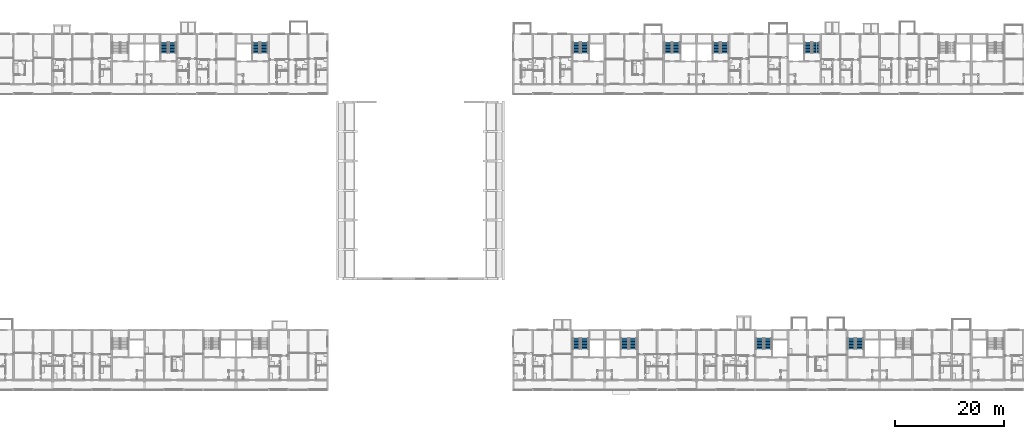
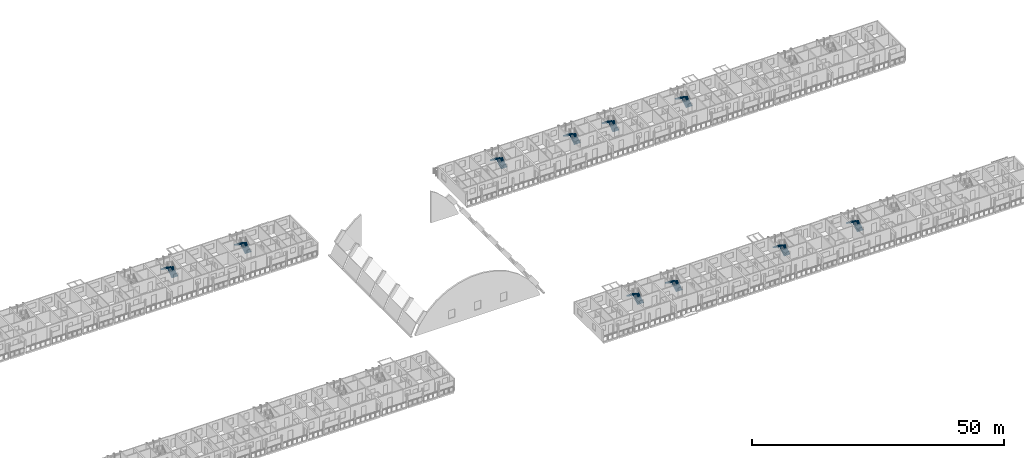
# One storey, part 63 of 100: 20 stair flights, 10 elements without a shape of their own.
"""IFC4 building model written with IfcOpenShell, lengths in metres."""

from ifc_helpers import new_model, si_unit, direction, frame, origin, place, context, subcontext, project, spatial, polyline, outline, extrude, material, type_object, element, aggregate, save


model = new_model("IFC4")

# Units and contexts
model_context = context("Model", 3, precision=1e-05, world=origin(), true_north=direction((0.0, 1.0)))
body_context = subcontext(model_context, "Body", "Model", "MODEL_VIEW")
ifc_project = project(units=[si_unit("LENGTHUNIT", "METRE"), si_unit("AREAUNIT", "SQUARE_METRE"), si_unit("VOLUMEUNIT", "CUBIC_METRE"), si_unit("PLANEANGLEUNIT", "RADIAN"), si_unit("MASSUNIT", "GRAM", prefix="KILO")], contexts=[model_context])

# Site, building, storey
site_placement = place(None, origin())
site = spatial("IfcSite", under=ifc_project, at=site_placement, CompositionType="ELEMENT")
building_placement = place(site_placement, origin())
building = spatial("IfcBuilding", under=site, at=building_placement, Name="Ridgestep Commons", CompositionType="ELEMENT")
storey_placement = place(building_placement, frame((0.0, 0.0, 9.0)))
storey = spatial("IfcBuildingStorey", under=building, at=storey_placement, Name="L03", CompositionType="ELEMENT", Elevation=9.0)

# Stair, stair flights
ifc_material_1 = material(Name="Precast concrete C40/50", Category="concrete")
stair_type = type_object("IfcStairType", Name="Escape stair 1400", PredefinedType="HALF_TURN_STAIR", material=ifc_material_1)
stair_1_placement = place(storey_placement, origin())
stair_1 = element("IfcStair", 1, at=stair_1_placement, inside=storey, type_object=stair_type, Name="L03 Escape stair B5C", PredefinedType="HALF_TURN_STAIR")
ifc_material_2 = material(Name="Precast concrete C40/50", Category="concrete")
stair_flight_type = type_object("IfcStairFlightType", Name="Stair flight 1400", PredefinedType="STRAIGHT", material=ifc_material_2)
stair_flight_1_placement = place(storey_placement, frame((84.375, 73.60009765625, 0.0), z_axis=(0.0, 0.0, 1.0), x_axis=(0.0, 1.0, 0.0)))
stair_flight_1 = element("IfcStairFlight", 2, at=stair_flight_1_placement, type_object=stair_flight_type, Name="B5C flight 1", NumberOfRisers=8, NumberOfTreads=7, PredefinedType="STRAIGHT", RiserHeight=0.1875, TreadLength=0.28, context=body_context, shape_type="SweptSolid", body=[
    extrude(outline(polyline([(0.0, 0.0), (0.0, 0.1875), (0.280029296875, 0.1875), (0.280029296875, 0.375), (0.56005859375, 0.375), (0.56005859375, 0.5625), (0.840087890625, 0.5625), (0.840087890625, 0.75), (1.1201171875, 0.75), (1.1201171875, 0.9375), (1.39990234375, 0.9375), (1.39990234375, 1.125), (1.679931640625, 1.125), (1.679931640625, 1.3125), (1.9599609375, 1.3125), (1.9599609375, 1.5), (1.9599609375, 1.132080078125), (0.26953125, 0.0), (0.0, 0.0)])), frame((0.0, 0.699951171875, 0.0), z_axis=(0.0, -1.0, 0.0), x_axis=(1.0, 0.0, 0.0)), (0.0, 0.0, 1.0), 0.695068359375),
    extrude(outline(polyline([(0.0, 0.0), (0.0, 0.1875), (0.280029296875, 0.1875), (0.280029296875, 0.375), (0.56005859375, 0.375), (0.56005859375, 0.5625), (0.840087890625, 0.5625), (0.840087890625, 0.75), (1.1201171875, 0.75), (1.1201171875, 0.9375), (1.39990234375, 0.9375), (1.39990234375, 1.125), (1.679931640625, 1.125), (1.679931640625, 1.3125), (1.9599609375, 1.3125), (1.9599609375, 1.5), (1.9599609375, 1.132080078125), (0.26953125, 0.0), (0.0, 0.0)])), frame((0.0, -0.0048828125, 0.0), z_axis=(0.0, -1.0, 0.0), x_axis=(1.0, 0.0, 0.0)), (0.0, 0.0, 1.0), 0.695068359375),
])
stair_flight_2_placement = place(storey_placement, frame((82.875, 75.56005859375, 1.5), z_axis=(0.0, 0.0, 1.0), x_axis=(0.0, -1.0, 0.0)))
stair_flight_2 = element("IfcStairFlight", 3, at=stair_flight_2_placement, type_object=stair_flight_type, Name="B5C flight 2", NumberOfRisers=8, NumberOfTreads=7, PredefinedType="STRAIGHT", RiserHeight=0.1875, TreadLength=0.28, context=body_context, shape_type="SweptSolid", body=[
    extrude(outline(polyline([(0.0, 0.0), (0.0, 0.1875), (0.280029296875, 0.1875), (0.280029296875, 0.375), (0.56005859375, 0.375), (0.56005859375, 0.5625), (0.840087890625, 0.5625), (0.840087890625, 0.75), (1.1201171875, 0.75), (1.1201171875, 0.9375), (1.39990234375, 0.9375), (1.39990234375, 1.125), (1.679931640625, 1.125), (1.679931640625, 1.3125), (1.9599609375, 1.3125), (1.9599609375, 1.5), (1.9599609375, 1.132080078125), (0.26953125, 0.0), (0.0, 0.0)])), frame((0.0, 0.699951171875, 0.0), z_axis=(0.0, -1.0, 0.0), x_axis=(1.0, 0.0, 0.0)), (0.0, 0.0, 1.0), 0.695068359375),
    extrude(outline(polyline([(0.0, 0.0), (0.0, 0.1875), (0.280029296875, 0.1875), (0.280029296875, 0.375), (0.56005859375, 0.375), (0.56005859375, 0.5625), (0.840087890625, 0.5625), (0.840087890625, 0.75), (1.1201171875, 0.75), (1.1201171875, 0.9375), (1.39990234375, 0.9375), (1.39990234375, 1.125), (1.679931640625, 1.125), (1.679931640625, 1.3125), (1.9599609375, 1.3125), (1.9599609375, 1.5), (1.9599609375, 1.132080078125), (0.26953125, 0.0), (0.0, 0.0)])), frame((0.0, -0.0048828125, 0.0), z_axis=(0.0, -1.0, 0.0), x_axis=(1.0, 0.0, 0.0)), (0.0, 0.0, 1.0), 0.695068359375),
])
aggregate(stair_1, [stair_flight_1, stair_flight_2])

stair_2_placement = place(storey_placement, origin())
stair_2 = element("IfcStair", 4, at=stair_2_placement, inside=storey, type_object=stair_type, Name="L03 Escape stair B6C", PredefinedType="HALF_TURN_STAIR")
stair_flight_3_placement = place(storey_placement, frame((101.175048828125, 73.60009765625, 0.0), z_axis=(0.0, 0.0, 1.0), x_axis=(0.0, 1.0, 0.0)))
stair_flight_3 = element("IfcStairFlight", 5, at=stair_flight_3_placement, type_object=stair_flight_type, Name="B6C flight 1", NumberOfRisers=8, NumberOfTreads=7, PredefinedType="STRAIGHT", RiserHeight=0.1875, TreadLength=0.28, context=body_context, shape_type="SweptSolid", body=[
    extrude(outline(polyline([(0.0, 0.0), (0.0, 0.1875), (0.280029296875, 0.1875), (0.280029296875, 0.375), (0.56005859375, 0.375), (0.56005859375, 0.5625), (0.840087890625, 0.5625), (0.840087890625, 0.75), (1.1201171875, 0.75), (1.1201171875, 0.9375), (1.39990234375, 0.9375), (1.39990234375, 1.125), (1.679931640625, 1.125), (1.679931640625, 1.3125), (1.9599609375, 1.3125), (1.9599609375, 1.5), (1.9599609375, 1.132080078125), (0.26953125, 0.0), (0.0, 0.0)])), frame((0.0, 0.699951171875, 0.0), z_axis=(0.0, -1.0, 0.0), x_axis=(1.0, 0.0, 0.0)), (0.0, 0.0, 1.0), 0.695068359375),
    extrude(outline(polyline([(0.0, 0.0), (0.0, 0.1875), (0.280029296875, 0.1875), (0.280029296875, 0.375), (0.56005859375, 0.375), (0.56005859375, 0.5625), (0.840087890625, 0.5625), (0.840087890625, 0.75), (1.1201171875, 0.75), (1.1201171875, 0.9375), (1.39990234375, 0.9375), (1.39990234375, 1.125), (1.679931640625, 1.125), (1.679931640625, 1.3125), (1.9599609375, 1.3125), (1.9599609375, 1.5), (1.9599609375, 1.132080078125), (0.26953125, 0.0), (0.0, 0.0)])), frame((0.0, -0.0048828125, 0.0), z_axis=(0.0, -1.0, 0.0), x_axis=(1.0, 0.0, 0.0)), (0.0, 0.0, 1.0), 0.695068359375),
])
stair_flight_4_placement = place(storey_placement, frame((99.675048828125, 75.56005859375, 1.5), z_axis=(0.0, 0.0, 1.0), x_axis=(0.0, -1.0, 0.0)))
stair_flight_4 = element("IfcStairFlight", 6, at=stair_flight_4_placement, type_object=stair_flight_type, Name="B6C flight 2", NumberOfRisers=8, NumberOfTreads=7, PredefinedType="STRAIGHT", RiserHeight=0.1875, TreadLength=0.28, context=body_context, shape_type="SweptSolid", body=[
    extrude(outline(polyline([(0.0, 0.0), (0.0, 0.1875), (0.280029296875, 0.1875), (0.280029296875, 0.375), (0.56005859375, 0.375), (0.56005859375, 0.5625), (0.840087890625, 0.5625), (0.840087890625, 0.75), (1.1201171875, 0.75), (1.1201171875, 0.9375), (1.39990234375, 0.9375), (1.39990234375, 1.125), (1.679931640625, 1.125), (1.679931640625, 1.3125), (1.9599609375, 1.3125), (1.9599609375, 1.5), (1.9599609375, 1.132080078125), (0.26953125, 0.0), (0.0, 0.0)])), frame((0.0, 0.699951171875, 0.0), z_axis=(0.0, -1.0, 0.0), x_axis=(1.0, 0.0, 0.0)), (0.0, 0.0, 1.0), 0.695068359375),
    extrude(outline(polyline([(0.0, 0.0), (0.0, 0.1875), (0.280029296875, 0.1875), (0.280029296875, 0.375), (0.56005859375, 0.375), (0.56005859375, 0.5625), (0.840087890625, 0.5625), (0.840087890625, 0.75), (1.1201171875, 0.75), (1.1201171875, 0.9375), (1.39990234375, 0.9375), (1.39990234375, 1.125), (1.679931640625, 1.125), (1.679931640625, 1.3125), (1.9599609375, 1.3125), (1.9599609375, 1.5), (1.9599609375, 1.132080078125), (0.26953125, 0.0), (0.0, 0.0)])), frame((0.0, -0.0048828125, 0.0), z_axis=(0.0, -1.0, 0.0), x_axis=(1.0, 0.0, 0.0)), (0.0, 0.0, 1.0), 0.695068359375),
])
aggregate(stair_2, [stair_flight_3, stair_flight_4])

stair_3_placement = place(storey_placement, origin())
stair_3 = element("IfcStair", 7, at=stair_3_placement, inside=storey, type_object=stair_type, Name="L03 Escape stair C1C", PredefinedType="HALF_TURN_STAIR")
stair_flight_5_placement = place(storey_placement, frame((159.925048828125, 73.60009765625, 0.0), z_axis=(0.0, 0.0, 1.0), x_axis=(0.0, 1.0, 0.0)))
stair_flight_5 = element("IfcStairFlight", 8, at=stair_flight_5_placement, type_object=stair_flight_type, Name="C1C flight 1", NumberOfRisers=8, NumberOfTreads=7, PredefinedType="STRAIGHT", RiserHeight=0.1875, TreadLength=0.28, context=body_context, shape_type="SweptSolid", body=[
    extrude(outline(polyline([(0.0, 0.0), (0.0, 0.1875), (0.280029296875, 0.1875), (0.280029296875, 0.375), (0.56005859375, 0.375), (0.56005859375, 0.5625), (0.840087890625, 0.5625), (0.840087890625, 0.75), (1.1201171875, 0.75), (1.1201171875, 0.9375), (1.39990234375, 0.9375), (1.39990234375, 1.125), (1.679931640625, 1.125), (1.679931640625, 1.3125), (1.9599609375, 1.3125), (1.9599609375, 1.5), (1.9599609375, 1.132080078125), (0.26953125, 0.0), (0.0, 0.0)])), frame((0.0, 0.699951171875, 0.0), z_axis=(0.0, -1.0, 0.0), x_axis=(1.0, 0.0, 0.0)), (0.0, 0.0, 1.0), 0.695068359375),
    extrude(outline(polyline([(0.0, 0.0), (0.0, 0.1875), (0.280029296875, 0.1875), (0.280029296875, 0.375), (0.56005859375, 0.375), (0.56005859375, 0.5625), (0.840087890625, 0.5625), (0.840087890625, 0.75), (1.1201171875, 0.75), (1.1201171875, 0.9375), (1.39990234375, 0.9375), (1.39990234375, 1.125), (1.679931640625, 1.125), (1.679931640625, 1.3125), (1.9599609375, 1.3125), (1.9599609375, 1.5), (1.9599609375, 1.132080078125), (0.26953125, 0.0), (0.0, 0.0)])), frame((0.0, -0.0048828125, 0.0), z_axis=(0.0, -1.0, 0.0), x_axis=(1.0, 0.0, 0.0)), (0.0, 0.0, 1.0), 0.695068359375),
])
stair_flight_6_placement = place(storey_placement, frame((158.425048828125, 75.56005859375, 1.5), z_axis=(0.0, 0.0, 1.0), x_axis=(0.0, -1.0, 0.0)))
stair_flight_6 = element("IfcStairFlight", 9, at=stair_flight_6_placement, type_object=stair_flight_type, Name="C1C flight 2", NumberOfRisers=8, NumberOfTreads=7, PredefinedType="STRAIGHT", RiserHeight=0.1875, TreadLength=0.28, context=body_context, shape_type="SweptSolid", body=[
    extrude(outline(polyline([(0.0, 0.0), (0.0, 0.1875), (0.280029296875, 0.1875), (0.280029296875, 0.375), (0.56005859375, 0.375), (0.56005859375, 0.5625), (0.840087890625, 0.5625), (0.840087890625, 0.75), (1.1201171875, 0.75), (1.1201171875, 0.9375), (1.39990234375, 0.9375), (1.39990234375, 1.125), (1.679931640625, 1.125), (1.679931640625, 1.3125), (1.9599609375, 1.3125), (1.9599609375, 1.5), (1.9599609375, 1.132080078125), (0.26953125, 0.0), (0.0, 0.0)])), frame((0.0, 0.699951171875, 0.0), z_axis=(0.0, -1.0, 0.0), x_axis=(1.0, 0.0, 0.0)), (0.0, 0.0, 1.0), 0.695068359375),
    extrude(outline(polyline([(0.0, 0.0), (0.0, 0.1875), (0.280029296875, 0.1875), (0.280029296875, 0.375), (0.56005859375, 0.375), (0.56005859375, 0.5625), (0.840087890625, 0.5625), (0.840087890625, 0.75), (1.1201171875, 0.75), (1.1201171875, 0.9375), (1.39990234375, 0.9375), (1.39990234375, 1.125), (1.679931640625, 1.125), (1.679931640625, 1.3125), (1.9599609375, 1.3125), (1.9599609375, 1.5), (1.9599609375, 1.132080078125), (0.26953125, 0.0), (0.0, 0.0)])), frame((0.0, -0.0048828125, 0.0), z_axis=(0.0, -1.0, 0.0), x_axis=(1.0, 0.0, 0.0)), (0.0, 0.0, 1.0), 0.695068359375),
])
aggregate(stair_3, [stair_flight_5, stair_flight_6])

stair_4_placement = place(storey_placement, origin())
stair_4 = element("IfcStair", 10, at=stair_4_placement, inside=storey, type_object=stair_type, Name="L03 Escape stair C2C", PredefinedType="HALF_TURN_STAIR")
stair_flight_7_placement = place(storey_placement, frame((176.72509765625, 73.60009765625, 0.0), z_axis=(0.0, 0.0, 1.0), x_axis=(0.0, 1.0, 0.0)))
stair_flight_7 = element("IfcStairFlight", 11, at=stair_flight_7_placement, type_object=stair_flight_type, Name="C2C flight 1", NumberOfRisers=8, NumberOfTreads=7, PredefinedType="STRAIGHT", RiserHeight=0.1875, TreadLength=0.28, context=body_context, shape_type="SweptSolid", body=[
    extrude(outline(polyline([(0.0, 0.0), (0.0, 0.1875), (0.280029296875, 0.1875), (0.280029296875, 0.375), (0.56005859375, 0.375), (0.56005859375, 0.5625), (0.840087890625, 0.5625), (0.840087890625, 0.75), (1.1201171875, 0.75), (1.1201171875, 0.9375), (1.39990234375, 0.9375), (1.39990234375, 1.125), (1.679931640625, 1.125), (1.679931640625, 1.3125), (1.9599609375, 1.3125), (1.9599609375, 1.5), (1.9599609375, 1.132080078125), (0.26953125, 0.0), (0.0, 0.0)])), frame((0.0, 0.699951171875, 0.0), z_axis=(0.0, -1.0, 0.0), x_axis=(1.0, 0.0, 0.0)), (0.0, 0.0, 1.0), 0.695068359375),
    extrude(outline(polyline([(0.0, 0.0), (0.0, 0.1875), (0.280029296875, 0.1875), (0.280029296875, 0.375), (0.56005859375, 0.375), (0.56005859375, 0.5625), (0.840087890625, 0.5625), (0.840087890625, 0.75), (1.1201171875, 0.75), (1.1201171875, 0.9375), (1.39990234375, 0.9375), (1.39990234375, 1.125), (1.679931640625, 1.125), (1.679931640625, 1.3125), (1.9599609375, 1.3125), (1.9599609375, 1.5), (1.9599609375, 1.132080078125), (0.26953125, 0.0), (0.0, 0.0)])), frame((0.0, -0.0048828125, 0.0), z_axis=(0.0, -1.0, 0.0), x_axis=(1.0, 0.0, 0.0)), (0.0, 0.0, 1.0), 0.695068359375),
])
stair_flight_8_placement = place(storey_placement, frame((175.22509765625, 75.56005859375, 1.5), z_axis=(0.0, 0.0, 1.0), x_axis=(0.0, -1.0, 0.0)))
stair_flight_8 = element("IfcStairFlight", 12, at=stair_flight_8_placement, type_object=stair_flight_type, Name="C2C flight 2", NumberOfRisers=8, NumberOfTreads=7, PredefinedType="STRAIGHT", RiserHeight=0.1875, TreadLength=0.28, context=body_context, shape_type="SweptSolid", body=[
    extrude(outline(polyline([(0.0, 0.0), (0.0, 0.1875), (0.280029296875, 0.1875), (0.280029296875, 0.375), (0.56005859375, 0.375), (0.56005859375, 0.5625), (0.840087890625, 0.5625), (0.840087890625, 0.75), (1.1201171875, 0.75), (1.1201171875, 0.9375), (1.39990234375, 0.9375), (1.39990234375, 1.125), (1.679931640625, 1.125), (1.679931640625, 1.3125), (1.9599609375, 1.3125), (1.9599609375, 1.5), (1.9599609375, 1.132080078125), (0.26953125, 0.0), (0.0, 0.0)])), frame((0.0, 0.699951171875, 0.0), z_axis=(0.0, -1.0, 0.0), x_axis=(1.0, 0.0, 0.0)), (0.0, 0.0, 1.0), 0.695068359375),
    extrude(outline(polyline([(0.0, 0.0), (0.0, 0.1875), (0.280029296875, 0.1875), (0.280029296875, 0.375), (0.56005859375, 0.375), (0.56005859375, 0.5625), (0.840087890625, 0.5625), (0.840087890625, 0.75), (1.1201171875, 0.75), (1.1201171875, 0.9375), (1.39990234375, 0.9375), (1.39990234375, 1.125), (1.679931640625, 1.125), (1.679931640625, 1.3125), (1.9599609375, 1.3125), (1.9599609375, 1.5), (1.9599609375, 1.132080078125), (0.26953125, 0.0), (0.0, 0.0)])), frame((0.0, -0.0048828125, 0.0), z_axis=(0.0, -1.0, 0.0), x_axis=(1.0, 0.0, 0.0)), (0.0, 0.0, 1.0), 0.695068359375),
])
aggregate(stair_4, [stair_flight_7, stair_flight_8])

stair_5_placement = place(storey_placement, origin())
stair_5 = element("IfcStair", 13, at=stair_5_placement, inside=storey, type_object=stair_type, Name="L03 Escape stair C3C", PredefinedType="HALF_TURN_STAIR")
stair_flight_9_placement = place(storey_placement, frame((185.574951171875, 73.60009765625, 0.0), z_axis=(0.0, 0.0, 1.0), x_axis=(0.0, 1.0, 0.0)))
stair_flight_9 = element("IfcStairFlight", 14, at=stair_flight_9_placement, type_object=stair_flight_type, Name="C3C flight 1", NumberOfRisers=8, NumberOfTreads=7, PredefinedType="STRAIGHT", RiserHeight=0.1875, TreadLength=0.28, context=body_context, shape_type="SweptSolid", body=[
    extrude(outline(polyline([(0.0, 0.0), (0.0, 0.1875), (0.280029296875, 0.1875), (0.280029296875, 0.375), (0.56005859375, 0.375), (0.56005859375, 0.5625), (0.840087890625, 0.5625), (0.840087890625, 0.75), (1.1201171875, 0.75), (1.1201171875, 0.9375), (1.39990234375, 0.9375), (1.39990234375, 1.125), (1.679931640625, 1.125), (1.679931640625, 1.3125), (1.9599609375, 1.3125), (1.9599609375, 1.5), (1.9599609375, 1.132080078125), (0.26953125, 0.0), (0.0, 0.0)])), frame((0.0, 0.699951171875, 0.0), z_axis=(0.0, -1.0, 0.0), x_axis=(1.0, 0.0, 0.0)), (0.0, 0.0, 1.0), 0.695068359375),
    extrude(outline(polyline([(0.0, 0.0), (0.0, 0.1875), (0.280029296875, 0.1875), (0.280029296875, 0.375), (0.56005859375, 0.375), (0.56005859375, 0.5625), (0.840087890625, 0.5625), (0.840087890625, 0.75), (1.1201171875, 0.75), (1.1201171875, 0.9375), (1.39990234375, 0.9375), (1.39990234375, 1.125), (1.679931640625, 1.125), (1.679931640625, 1.3125), (1.9599609375, 1.3125), (1.9599609375, 1.5), (1.9599609375, 1.132080078125), (0.26953125, 0.0), (0.0, 0.0)])), frame((0.0, -0.0048828125, 0.0), z_axis=(0.0, -1.0, 0.0), x_axis=(1.0, 0.0, 0.0)), (0.0, 0.0, 1.0), 0.695068359375),
])
stair_flight_10_placement = place(storey_placement, frame((184.074951171875, 75.56005859375, 1.5), z_axis=(0.0, 0.0, 1.0), x_axis=(0.0, -1.0, 0.0)))
stair_flight_10 = element("IfcStairFlight", 15, at=stair_flight_10_placement, type_object=stair_flight_type, Name="C3C flight 2", NumberOfRisers=8, NumberOfTreads=7, PredefinedType="STRAIGHT", RiserHeight=0.1875, TreadLength=0.28, context=body_context, shape_type="SweptSolid", body=[
    extrude(outline(polyline([(0.0, 0.0), (0.0, 0.1875), (0.280029296875, 0.1875), (0.280029296875, 0.375), (0.56005859375, 0.375), (0.56005859375, 0.5625), (0.840087890625, 0.5625), (0.840087890625, 0.75), (1.1201171875, 0.75), (1.1201171875, 0.9375), (1.39990234375, 0.9375), (1.39990234375, 1.125), (1.679931640625, 1.125), (1.679931640625, 1.3125), (1.9599609375, 1.3125), (1.9599609375, 1.5), (1.9599609375, 1.132080078125), (0.26953125, 0.0), (0.0, 0.0)])), frame((0.0, 0.699951171875, 0.0), z_axis=(0.0, -1.0, 0.0), x_axis=(1.0, 0.0, 0.0)), (0.0, 0.0, 1.0), 0.695068359375),
    extrude(outline(polyline([(0.0, 0.0), (0.0, 0.1875), (0.280029296875, 0.1875), (0.280029296875, 0.375), (0.56005859375, 0.375), (0.56005859375, 0.5625), (0.840087890625, 0.5625), (0.840087890625, 0.75), (1.1201171875, 0.75), (1.1201171875, 0.9375), (1.39990234375, 0.9375), (1.39990234375, 1.125), (1.679931640625, 1.125), (1.679931640625, 1.3125), (1.9599609375, 1.3125), (1.9599609375, 1.5), (1.9599609375, 1.132080078125), (0.26953125, 0.0), (0.0, 0.0)])), frame((0.0, -0.0048828125, 0.0), z_axis=(0.0, -1.0, 0.0), x_axis=(1.0, 0.0, 0.0)), (0.0, 0.0, 1.0), 0.695068359375),
])
aggregate(stair_5, [stair_flight_9, stair_flight_10])

stair_6_placement = place(storey_placement, origin())
stair_6 = element("IfcStair", 16, at=stair_6_placement, inside=storey, type_object=stair_type, Name="L03 Escape stair C4C", PredefinedType="HALF_TURN_STAIR")
stair_flight_11_placement = place(storey_placement, frame((202.375, 73.60009765625, 0.0), z_axis=(0.0, 0.0, 1.0), x_axis=(0.0, 1.0, 0.0)))
stair_flight_11 = element("IfcStairFlight", 17, at=stair_flight_11_placement, type_object=stair_flight_type, Name="C4C flight 1", NumberOfRisers=8, NumberOfTreads=7, PredefinedType="STRAIGHT", RiserHeight=0.1875, TreadLength=0.28, context=body_context, shape_type="SweptSolid", body=[
    extrude(outline(polyline([(0.0, 0.0), (0.0, 0.1875), (0.280029296875, 0.1875), (0.280029296875, 0.375), (0.56005859375, 0.375), (0.56005859375, 0.5625), (0.840087890625, 0.5625), (0.840087890625, 0.75), (1.1201171875, 0.75), (1.1201171875, 0.9375), (1.39990234375, 0.9375), (1.39990234375, 1.125), (1.679931640625, 1.125), (1.679931640625, 1.3125), (1.9599609375, 1.3125), (1.9599609375, 1.5), (1.9599609375, 1.132080078125), (0.26953125, 0.0), (0.0, 0.0)])), frame((0.0, 0.699951171875, 0.0), z_axis=(0.0, -1.0, 0.0), x_axis=(1.0, 0.0, 0.0)), (0.0, 0.0, 1.0), 0.695068359375),
    extrude(outline(polyline([(0.0, 0.0), (0.0, 0.1875), (0.280029296875, 0.1875), (0.280029296875, 0.375), (0.56005859375, 0.375), (0.56005859375, 0.5625), (0.840087890625, 0.5625), (0.840087890625, 0.75), (1.1201171875, 0.75), (1.1201171875, 0.9375), (1.39990234375, 0.9375), (1.39990234375, 1.125), (1.679931640625, 1.125), (1.679931640625, 1.3125), (1.9599609375, 1.3125), (1.9599609375, 1.5), (1.9599609375, 1.132080078125), (0.26953125, 0.0), (0.0, 0.0)])), frame((0.0, -0.0048828125, 0.0), z_axis=(0.0, -1.0, 0.0), x_axis=(1.0, 0.0, 0.0)), (0.0, 0.0, 1.0), 0.695068359375),
])
stair_flight_12_placement = place(storey_placement, frame((200.875, 75.56005859375, 1.5), z_axis=(0.0, 0.0, 1.0), x_axis=(0.0, -1.0, 0.0)))
stair_flight_12 = element("IfcStairFlight", 18, at=stair_flight_12_placement, type_object=stair_flight_type, Name="C4C flight 2", NumberOfRisers=8, NumberOfTreads=7, PredefinedType="STRAIGHT", RiserHeight=0.1875, TreadLength=0.28, context=body_context, shape_type="SweptSolid", body=[
    extrude(outline(polyline([(0.0, 0.0), (0.0, 0.1875), (0.280029296875, 0.1875), (0.280029296875, 0.375), (0.56005859375, 0.375), (0.56005859375, 0.5625), (0.840087890625, 0.5625), (0.840087890625, 0.75), (1.1201171875, 0.75), (1.1201171875, 0.9375), (1.39990234375, 0.9375), (1.39990234375, 1.125), (1.679931640625, 1.125), (1.679931640625, 1.3125), (1.9599609375, 1.3125), (1.9599609375, 1.5), (1.9599609375, 1.132080078125), (0.26953125, 0.0), (0.0, 0.0)])), frame((0.0, 0.699951171875, 0.0), z_axis=(0.0, -1.0, 0.0), x_axis=(1.0, 0.0, 0.0)), (0.0, 0.0, 1.0), 0.695068359375),
    extrude(outline(polyline([(0.0, 0.0), (0.0, 0.1875), (0.280029296875, 0.1875), (0.280029296875, 0.375), (0.56005859375, 0.375), (0.56005859375, 0.5625), (0.840087890625, 0.5625), (0.840087890625, 0.75), (1.1201171875, 0.75), (1.1201171875, 0.9375), (1.39990234375, 0.9375), (1.39990234375, 1.125), (1.679931640625, 1.125), (1.679931640625, 1.3125), (1.9599609375, 1.3125), (1.9599609375, 1.5), (1.9599609375, 1.132080078125), (0.26953125, 0.0), (0.0, 0.0)])), frame((0.0, -0.0048828125, 0.0), z_axis=(0.0, -1.0, 0.0), x_axis=(1.0, 0.0, 0.0)), (0.0, 0.0, 1.0), 0.695068359375),
])
aggregate(stair_6, [stair_flight_11, stair_flight_12])

stair_7_placement = place(storey_placement, origin())
stair_7 = element("IfcStair", 19, at=stair_7_placement, inside=storey, type_object=stair_type, Name="L03 Escape stair D1C", PredefinedType="HALF_TURN_STAIR")
stair_flight_13_placement = place(storey_placement, frame((159.925048828125, 19.35009765625, 0.0), z_axis=(0.0, 0.0, 1.0), x_axis=(0.0, 1.0, 0.0)))
stair_flight_13 = element("IfcStairFlight", 20, at=stair_flight_13_placement, type_object=stair_flight_type, Name="D1C flight 1", NumberOfRisers=8, NumberOfTreads=7, PredefinedType="STRAIGHT", RiserHeight=0.1875, TreadLength=0.28, context=body_context, shape_type="SweptSolid", body=[
    extrude(outline(polyline([(0.0, 0.0), (0.0, 0.1875), (0.280029296875, 0.1875), (0.280029296875, 0.375), (0.56005859375, 0.375), (0.56005859375, 0.5625), (0.840087890625, 0.5625), (0.840087890625, 0.75), (1.1201171875, 0.75), (1.1201171875, 0.9375), (1.39990234375, 0.9375), (1.39990234375, 1.125), (1.679931640625, 1.125), (1.679931640625, 1.3125), (1.9599609375, 1.3125), (1.9599609375, 1.5), (1.9599609375, 1.132080078125), (0.26953125, 0.0), (0.0, 0.0)])), frame((0.0, 0.699951171875, 0.0), z_axis=(0.0, -1.0, 0.0), x_axis=(1.0, 0.0, 0.0)), (0.0, 0.0, 1.0), 0.695068359375),
    extrude(outline(polyline([(0.0, 0.0), (0.0, 0.1875), (0.280029296875, 0.1875), (0.280029296875, 0.375), (0.56005859375, 0.375), (0.56005859375, 0.5625), (0.840087890625, 0.5625), (0.840087890625, 0.75), (1.1201171875, 0.75), (1.1201171875, 0.9375), (1.39990234375, 0.9375), (1.39990234375, 1.125), (1.679931640625, 1.125), (1.679931640625, 1.3125), (1.9599609375, 1.3125), (1.9599609375, 1.5), (1.9599609375, 1.132080078125), (0.26953125, 0.0), (0.0, 0.0)])), frame((0.0, -0.0048828125, 0.0), z_axis=(0.0, -1.0, 0.0), x_axis=(1.0, 0.0, 0.0)), (0.0, 0.0, 1.0), 0.695068359375),
])
stair_flight_14_placement = place(storey_placement, frame((158.425048828125, 21.31005859375, 1.5), z_axis=(0.0, 0.0, 1.0), x_axis=(0.0, -1.0, 0.0)))
stair_flight_14 = element("IfcStairFlight", 21, at=stair_flight_14_placement, type_object=stair_flight_type, Name="D1C flight 2", NumberOfRisers=8, NumberOfTreads=7, PredefinedType="STRAIGHT", RiserHeight=0.1875, TreadLength=0.28, context=body_context, shape_type="SweptSolid", body=[
    extrude(outline(polyline([(0.0, 0.0), (0.0, 0.1875), (0.280029296875, 0.1875), (0.280029296875, 0.375), (0.56005859375, 0.375), (0.56005859375, 0.5625), (0.840087890625, 0.5625), (0.840087890625, 0.75), (1.1201171875, 0.75), (1.1201171875, 0.9375), (1.39990234375, 0.9375), (1.39990234375, 1.125), (1.679931640625, 1.125), (1.679931640625, 1.3125), (1.9599609375, 1.3125), (1.9599609375, 1.5), (1.9599609375, 1.132080078125), (0.26953125, 0.0), (0.0, 0.0)])), frame((0.0, 0.699951171875, 0.0), z_axis=(0.0, -1.0, 0.0), x_axis=(1.0, 0.0, 0.0)), (0.0, 0.0, 1.0), 0.695068359375),
    extrude(outline(polyline([(0.0, 0.0), (0.0, 0.1875), (0.280029296875, 0.1875), (0.280029296875, 0.375), (0.56005859375, 0.375), (0.56005859375, 0.5625), (0.840087890625, 0.5625), (0.840087890625, 0.75), (1.1201171875, 0.75), (1.1201171875, 0.9375), (1.39990234375, 0.9375), (1.39990234375, 1.125), (1.679931640625, 1.125), (1.679931640625, 1.3125), (1.9599609375, 1.3125), (1.9599609375, 1.5), (1.9599609375, 1.132080078125), (0.26953125, 0.0), (0.0, 0.0)])), frame((0.0, -0.0048828125, 0.0), z_axis=(0.0, -1.0, 0.0), x_axis=(1.0, 0.0, 0.0)), (0.0, 0.0, 1.0), 0.695068359375),
])
aggregate(stair_7, [stair_flight_13, stair_flight_14])

stair_8_placement = place(storey_placement, origin())
stair_8 = element("IfcStair", 22, at=stair_8_placement, inside=storey, type_object=stair_type, Name="L03 Escape stair D2C", PredefinedType="HALF_TURN_STAIR")
stair_flight_15_placement = place(storey_placement, frame((168.77490234375, 19.35009765625, 0.0), z_axis=(0.0, 0.0, 1.0), x_axis=(0.0, 1.0, 0.0)))
stair_flight_15 = element("IfcStairFlight", 23, at=stair_flight_15_placement, type_object=stair_flight_type, Name="D2C flight 1", NumberOfRisers=8, NumberOfTreads=7, PredefinedType="STRAIGHT", RiserHeight=0.1875, TreadLength=0.28, context=body_context, shape_type="SweptSolid", body=[
    extrude(outline(polyline([(0.0, 0.0), (0.0, 0.1875), (0.280029296875, 0.1875), (0.280029296875, 0.375), (0.56005859375, 0.375), (0.56005859375, 0.5625), (0.840087890625, 0.5625), (0.840087890625, 0.75), (1.1201171875, 0.75), (1.1201171875, 0.9375), (1.39990234375, 0.9375), (1.39990234375, 1.125), (1.679931640625, 1.125), (1.679931640625, 1.3125), (1.9599609375, 1.3125), (1.9599609375, 1.5), (1.9599609375, 1.132080078125), (0.26953125, 0.0), (0.0, 0.0)])), frame((0.0, 0.699951171875, 0.0), z_axis=(0.0, -1.0, 0.0), x_axis=(1.0, 0.0, 0.0)), (0.0, 0.0, 1.0), 0.695068359375),
    extrude(outline(polyline([(0.0, 0.0), (0.0, 0.1875), (0.280029296875, 0.1875), (0.280029296875, 0.375), (0.56005859375, 0.375), (0.56005859375, 0.5625), (0.840087890625, 0.5625), (0.840087890625, 0.75), (1.1201171875, 0.75), (1.1201171875, 0.9375), (1.39990234375, 0.9375), (1.39990234375, 1.125), (1.679931640625, 1.125), (1.679931640625, 1.3125), (1.9599609375, 1.3125), (1.9599609375, 1.5), (1.9599609375, 1.132080078125), (0.26953125, 0.0), (0.0, 0.0)])), frame((0.0, -0.0048828125, 0.0), z_axis=(0.0, -1.0, 0.0), x_axis=(1.0, 0.0, 0.0)), (0.0, 0.0, 1.0), 0.695068359375),
])
stair_flight_16_placement = place(storey_placement, frame((167.27490234375, 21.31005859375, 1.5), z_axis=(0.0, 0.0, 1.0), x_axis=(0.0, -1.0, 0.0)))
stair_flight_16 = element("IfcStairFlight", 24, at=stair_flight_16_placement, type_object=stair_flight_type, Name="D2C flight 2", NumberOfRisers=8, NumberOfTreads=7, PredefinedType="STRAIGHT", RiserHeight=0.1875, TreadLength=0.28, context=body_context, shape_type="SweptSolid", body=[
    extrude(outline(polyline([(0.0, 0.0), (0.0, 0.1875), (0.280029296875, 0.1875), (0.280029296875, 0.375), (0.56005859375, 0.375), (0.56005859375, 0.5625), (0.840087890625, 0.5625), (0.840087890625, 0.75), (1.1201171875, 0.75), (1.1201171875, 0.9375), (1.39990234375, 0.9375), (1.39990234375, 1.125), (1.679931640625, 1.125), (1.679931640625, 1.3125), (1.9599609375, 1.3125), (1.9599609375, 1.5), (1.9599609375, 1.132080078125), (0.26953125, 0.0), (0.0, 0.0)])), frame((0.0, 0.699951171875, 0.0), z_axis=(0.0, -1.0, 0.0), x_axis=(1.0, 0.0, 0.0)), (0.0, 0.0, 1.0), 0.695068359375),
    extrude(outline(polyline([(0.0, 0.0), (0.0, 0.1875), (0.280029296875, 0.1875), (0.280029296875, 0.375), (0.56005859375, 0.375), (0.56005859375, 0.5625), (0.840087890625, 0.5625), (0.840087890625, 0.75), (1.1201171875, 0.75), (1.1201171875, 0.9375), (1.39990234375, 0.9375), (1.39990234375, 1.125), (1.679931640625, 1.125), (1.679931640625, 1.3125), (1.9599609375, 1.3125), (1.9599609375, 1.5), (1.9599609375, 1.132080078125), (0.26953125, 0.0), (0.0, 0.0)])), frame((0.0, -0.0048828125, 0.0), z_axis=(0.0, -1.0, 0.0), x_axis=(1.0, 0.0, 0.0)), (0.0, 0.0, 1.0), 0.695068359375),
])
aggregate(stair_8, [stair_flight_15, stair_flight_16])

stair_9_placement = place(storey_placement, origin())
stair_9 = element("IfcStair", 25, at=stair_9_placement, inside=storey, type_object=stair_type, Name="L03 Escape stair D3C", PredefinedType="HALF_TURN_STAIR")
stair_flight_17_placement = place(storey_placement, frame((193.52490234375, 19.35009765625, 0.0), z_axis=(0.0, 0.0, 1.0), x_axis=(0.0, 1.0, 0.0)))
stair_flight_17 = element("IfcStairFlight", 26, at=stair_flight_17_placement, type_object=stair_flight_type, Name="D3C flight 1", NumberOfRisers=8, NumberOfTreads=7, PredefinedType="STRAIGHT", RiserHeight=0.1875, TreadLength=0.28, context=body_context, shape_type="SweptSolid", body=[
    extrude(outline(polyline([(0.0, 0.0), (0.0, 0.1875), (0.280029296875, 0.1875), (0.280029296875, 0.375), (0.56005859375, 0.375), (0.56005859375, 0.5625), (0.840087890625, 0.5625), (0.840087890625, 0.75), (1.1201171875, 0.75), (1.1201171875, 0.9375), (1.39990234375, 0.9375), (1.39990234375, 1.125), (1.679931640625, 1.125), (1.679931640625, 1.3125), (1.9599609375, 1.3125), (1.9599609375, 1.5), (1.9599609375, 1.132080078125), (0.26953125, 0.0), (0.0, 0.0)])), frame((0.0, 0.699951171875, 0.0), z_axis=(0.0, -1.0, 0.0), x_axis=(1.0, 0.0, 0.0)), (0.0, 0.0, 1.0), 0.695068359375),
    extrude(outline(polyline([(0.0, 0.0), (0.0, 0.1875), (0.280029296875, 0.1875), (0.280029296875, 0.375), (0.56005859375, 0.375), (0.56005859375, 0.5625), (0.840087890625, 0.5625), (0.840087890625, 0.75), (1.1201171875, 0.75), (1.1201171875, 0.9375), (1.39990234375, 0.9375), (1.39990234375, 1.125), (1.679931640625, 1.125), (1.679931640625, 1.3125), (1.9599609375, 1.3125), (1.9599609375, 1.5), (1.9599609375, 1.132080078125), (0.26953125, 0.0), (0.0, 0.0)])), frame((0.0, -0.0048828125, 0.0), z_axis=(0.0, -1.0, 0.0), x_axis=(1.0, 0.0, 0.0)), (0.0, 0.0, 1.0), 0.695068359375),
])
stair_flight_18_placement = place(storey_placement, frame((192.02490234375, 21.31005859375, 1.5), z_axis=(0.0, 0.0, 1.0), x_axis=(0.0, -1.0, 0.0)))
stair_flight_18 = element("IfcStairFlight", 27, at=stair_flight_18_placement, type_object=stair_flight_type, Name="D3C flight 2", NumberOfRisers=8, NumberOfTreads=7, PredefinedType="STRAIGHT", RiserHeight=0.1875, TreadLength=0.28, context=body_context, shape_type="SweptSolid", body=[
    extrude(outline(polyline([(0.0, 0.0), (0.0, 0.1875), (0.280029296875, 0.1875), (0.280029296875, 0.375), (0.56005859375, 0.375), (0.56005859375, 0.5625), (0.840087890625, 0.5625), (0.840087890625, 0.75), (1.1201171875, 0.75), (1.1201171875, 0.9375), (1.39990234375, 0.9375), (1.39990234375, 1.125), (1.679931640625, 1.125), (1.679931640625, 1.3125), (1.9599609375, 1.3125), (1.9599609375, 1.5), (1.9599609375, 1.132080078125), (0.26953125, 0.0), (0.0, 0.0)])), frame((0.0, 0.699951171875, 0.0), z_axis=(0.0, -1.0, 0.0), x_axis=(1.0, 0.0, 0.0)), (0.0, 0.0, 1.0), 0.695068359375),
    extrude(outline(polyline([(0.0, 0.0), (0.0, 0.1875), (0.280029296875, 0.1875), (0.280029296875, 0.375), (0.56005859375, 0.375), (0.56005859375, 0.5625), (0.840087890625, 0.5625), (0.840087890625, 0.75), (1.1201171875, 0.75), (1.1201171875, 0.9375), (1.39990234375, 0.9375), (1.39990234375, 1.125), (1.679931640625, 1.125), (1.679931640625, 1.3125), (1.9599609375, 1.3125), (1.9599609375, 1.5), (1.9599609375, 1.132080078125), (0.26953125, 0.0), (0.0, 0.0)])), frame((0.0, -0.0048828125, 0.0), z_axis=(0.0, -1.0, 0.0), x_axis=(1.0, 0.0, 0.0)), (0.0, 0.0, 1.0), 0.695068359375),
])
aggregate(stair_9, [stair_flight_17, stair_flight_18])

stair_10_placement = place(storey_placement, origin())
stair_10 = element("IfcStair", 28, at=stair_10_placement, inside=storey, type_object=stair_type, Name="L03 Escape stair D4C", PredefinedType="HALF_TURN_STAIR")
stair_flight_19_placement = place(storey_placement, frame((210.324951171875, 19.35009765625, 0.0), z_axis=(0.0, 0.0, 1.0), x_axis=(0.0, 1.0, 0.0)))
stair_flight_19 = element("IfcStairFlight", 29, at=stair_flight_19_placement, type_object=stair_flight_type, Name="D4C flight 1", NumberOfRisers=8, NumberOfTreads=7, PredefinedType="STRAIGHT", RiserHeight=0.1875, TreadLength=0.28, context=body_context, shape_type="SweptSolid", body=[
    extrude(outline(polyline([(0.0, 0.0), (0.0, 0.1875), (0.280029296875, 0.1875), (0.280029296875, 0.375), (0.56005859375, 0.375), (0.56005859375, 0.5625), (0.840087890625, 0.5625), (0.840087890625, 0.75), (1.1201171875, 0.75), (1.1201171875, 0.9375), (1.39990234375, 0.9375), (1.39990234375, 1.125), (1.679931640625, 1.125), (1.679931640625, 1.3125), (1.9599609375, 1.3125), (1.9599609375, 1.5), (1.9599609375, 1.132080078125), (0.26953125, 0.0), (0.0, 0.0)])), frame((0.0, 0.699951171875, 0.0), z_axis=(0.0, -1.0, 0.0), x_axis=(1.0, 0.0, 0.0)), (0.0, 0.0, 1.0), 0.695068359375),
    extrude(outline(polyline([(0.0, 0.0), (0.0, 0.1875), (0.280029296875, 0.1875), (0.280029296875, 0.375), (0.56005859375, 0.375), (0.56005859375, 0.5625), (0.840087890625, 0.5625), (0.840087890625, 0.75), (1.1201171875, 0.75), (1.1201171875, 0.9375), (1.39990234375, 0.9375), (1.39990234375, 1.125), (1.679931640625, 1.125), (1.679931640625, 1.3125), (1.9599609375, 1.3125), (1.9599609375, 1.5), (1.9599609375, 1.132080078125), (0.26953125, 0.0), (0.0, 0.0)])), frame((0.0, -0.0048828125, 0.0), z_axis=(0.0, -1.0, 0.0), x_axis=(1.0, 0.0, 0.0)), (0.0, 0.0, 1.0), 0.695068359375),
])
stair_flight_20_placement = place(storey_placement, frame((208.824951171875, 21.31005859375, 1.5), z_axis=(0.0, 0.0, 1.0), x_axis=(0.0, -1.0, 0.0)))
stair_flight_20 = element("IfcStairFlight", 30, at=stair_flight_20_placement, type_object=stair_flight_type, Name="D4C flight 2", NumberOfRisers=8, NumberOfTreads=7, PredefinedType="STRAIGHT", RiserHeight=0.1875, TreadLength=0.28, context=body_context, shape_type="SweptSolid", body=[
    extrude(outline(polyline([(0.0, 0.0), (0.0, 0.1875), (0.280029296875, 0.1875), (0.280029296875, 0.375), (0.56005859375, 0.375), (0.56005859375, 0.5625), (0.840087890625, 0.5625), (0.840087890625, 0.75), (1.1201171875, 0.75), (1.1201171875, 0.9375), (1.39990234375, 0.9375), (1.39990234375, 1.125), (1.679931640625, 1.125), (1.679931640625, 1.3125), (1.9599609375, 1.3125), (1.9599609375, 1.5), (1.9599609375, 1.132080078125), (0.26953125, 0.0), (0.0, 0.0)])), frame((0.0, 0.699951171875, 0.0), z_axis=(0.0, -1.0, 0.0), x_axis=(1.0, 0.0, 0.0)), (0.0, 0.0, 1.0), 0.695068359375),
    extrude(outline(polyline([(0.0, 0.0), (0.0, 0.1875), (0.280029296875, 0.1875), (0.280029296875, 0.375), (0.56005859375, 0.375), (0.56005859375, 0.5625), (0.840087890625, 0.5625), (0.840087890625, 0.75), (1.1201171875, 0.75), (1.1201171875, 0.9375), (1.39990234375, 0.9375), (1.39990234375, 1.125), (1.679931640625, 1.125), (1.679931640625, 1.3125), (1.9599609375, 1.3125), (1.9599609375, 1.5), (1.9599609375, 1.132080078125), (0.26953125, 0.0), (0.0, 0.0)])), frame((0.0, -0.0048828125, 0.0), z_axis=(0.0, -1.0, 0.0), x_axis=(1.0, 0.0, 0.0)), (0.0, 0.0, 1.0), 0.695068359375),
])
aggregate(stair_10, [stair_flight_19, stair_flight_20])

save(model, "model.ifc")
